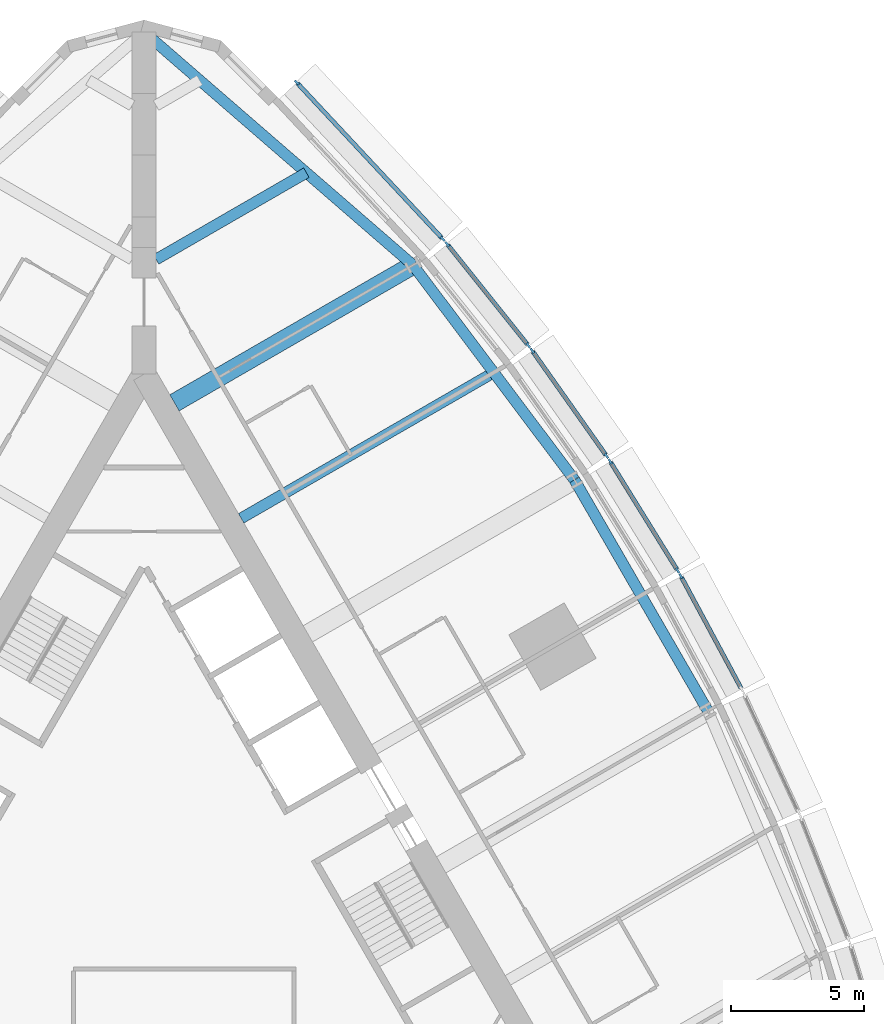
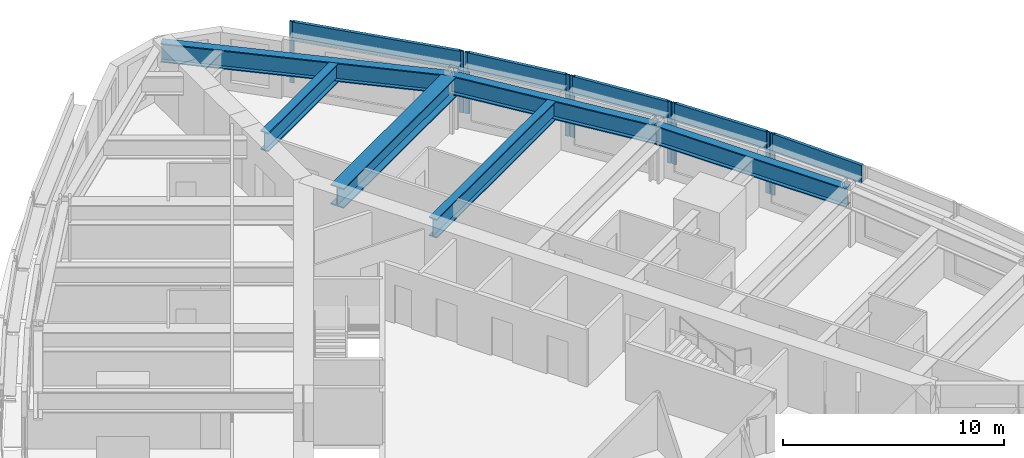
# One storey, part 5 of 14: 14 members, 6 beams, 5 elements without a shape of their own.
"""IFC4 building model written with IfcOpenShell, lengths in metres."""

from ifc_helpers import new_model, si_unit, direction, frame, origin, origin_2d, place, context, subcontext, project, spatial, rectangle, i_section, extrude, material, material_profile, profile_set, type_object, element, aggregate, save


model = new_model("IFC4")

# Units and contexts
model_context = context("Model", 3, precision=1e-05, world=origin(), true_north=direction((0.0, 1.0)))
body_context = subcontext(model_context, "Body", "Model", "MODEL_VIEW")
ifc_project = project(units=[si_unit("LENGTHUNIT", "METRE"), si_unit("AREAUNIT", "SQUARE_METRE"), si_unit("VOLUMEUNIT", "CUBIC_METRE"), si_unit("PLANEANGLEUNIT", "RADIAN"), si_unit("MASSUNIT", "GRAM", prefix="KILO")], contexts=[model_context])

# Site, building, storey
site_placement = place(None, origin())
site = spatial("IfcSite", under=ifc_project, at=site_placement, CompositionType="ELEMENT")
building_placement = place(site_placement, origin())
building = spatial("IfcBuilding", under=site, at=building_placement, Name="Trikona Tower", CompositionType="ELEMENT")
storey_placement = place(building_placement, frame((0.0, 0.0, 99.89990234375)))
storey = spatial("IfcBuildingStorey", under=building, at=storey_placement, Name="L26", CompositionType="ELEMENT", Elevation=99.89990234375)

# Curtain wall, member
ifc_material_1 = material(Name="Aluminium curtain wall system", Category="aluminium")
curtain_wall_type = type_object("IfcCurtainWallType", Name="Curtain wall DS1S", PredefinedType="NOTDEFINED", material=ifc_material_1)
curtain_wall_1_placement = place(storey_placement, origin())
curtain_wall_1 = element("IfcCurtainWall", 1, at=curtain_wall_1_placement, inside=storey, type_object=curtain_wall_type, Name="Curtain wall DS1S L26", PredefinedType="NOTDEFINED")
ifc_material_2 = material(Name="Aluminium mullion, pale anodised", Category="aluminium")
ifc_material_profile_1 = material_profile(ifc_material_2, rectangle(XDim=0.080078125, YDim=0.219970703125, at=origin_2d()), Name="MUL-DS1S")
ifc_profile_set_1 = profile_set([ifc_material_profile_1], Name="Aluminium mullion, pale anodised")
member_type_1 = type_object("IfcMemberType", Name="Mullion DS1S 80x220", PredefinedType="MULLION", material=ifc_profile_set_1)
member_1_placement = place(storey_placement, frame((20.128662109375, 11.474365234375, 0.0), z_axis=(0.0, 0.0, 1.0), x_axis=(-0.880843080975, -0.473408350896, 0.0)))
member_1 = element("IfcMember", 2, at=member_1_placement, type_object=member_type_1, Name="CW-DS1S mullion 2", PredefinedType="MULLION", context=body_context, shape_type="SweptSolid", body=[
    extrude(rectangle(XDim=0.080078125, YDim=0.219970703125, at=origin_2d()), origin(), (0.0, 0.0, 1.0), 3.400146484375),
])

# Curtain wall, members
curtain_wall_2_placement = place(storey_placement, origin())
curtain_wall_2 = element("IfcCurtainWall", 3, at=curtain_wall_2_placement, inside=storey, type_object=curtain_wall_type, Name="Curtain wall DS1S L26", PredefinedType="NOTDEFINED")
member_2_placement = place(storey_placement, frame((20.00146484375, 11.69482421875, 0.0), z_axis=(0.0, 0.0, 1.0), x_axis=(-0.850410468941, -0.526119790842, 0.0)))
member_2 = element("IfcMember", 4, at=member_2_placement, type_object=member_type_1, Name="CW-DS1S mullion 1", PredefinedType="MULLION", context=body_context, shape_type="SweptSolid", body=[
    extrude(rectangle(XDim=0.080078125, YDim=0.219970703125, at=origin_2d()), origin(), (0.0, 0.0, 1.0), 3.400146484375),
])
member_3_placement = place(storey_placement, frame((17.474853515625, 15.77880859375, 0.0), z_axis=(0.0, 0.0, 1.0), x_axis=(-0.850410468941, -0.526119790842, 0.0)))
member_3 = element("IfcMember", 5, at=member_3_placement, type_object=member_type_1, Name="CW-DS1S mullion 2", PredefinedType="MULLION", context=body_context, shape_type="SweptSolid", body=[
    extrude(rectangle(XDim=0.080078125, YDim=0.219970703125, at=origin_2d()), origin(), (0.0, 0.0, 1.0), 3.400146484375),
])

curtain_wall_3_placement = place(storey_placement, origin())
curtain_wall_3 = element("IfcCurtainWall", 6, at=curtain_wall_3_placement, inside=storey, type_object=curtain_wall_type, Name="Curtain wall DS1S L26", PredefinedType="NOTDEFINED")
member_4_placement = place(storey_placement, frame((17.33447265625, 15.990966796875, 0.0), z_axis=(0.0, 0.0, 1.0), x_axis=(-0.816985393055, -0.576658362928, 0.0)))
member_4 = element("IfcMember", 7, at=member_4_placement, type_object=member_type_1, Name="CW-DS1S mullion 1", PredefinedType="MULLION", context=body_context, shape_type="SweptSolid", body=[
    extrude(rectangle(XDim=0.080078125, YDim=0.219970703125, at=origin_2d()), origin(), (0.0, 0.0, 1.0), 3.400146484375),
])
member_5_placement = place(storey_placement, frame((14.554443359375, 19.929443359375, 0.0), z_axis=(0.0, 0.0, 1.0), x_axis=(-0.816985393055, -0.576658362928, 0.0)))
member_5 = element("IfcMember", 8, at=member_5_placement, type_object=member_type_1, Name="CW-DS1S mullion 2", PredefinedType="MULLION", context=body_context, shape_type="SweptSolid", body=[
    extrude(rectangle(XDim=0.080078125, YDim=0.219970703125, at=origin_2d()), origin(), (0.0, 0.0, 1.0), 3.400146484375),
])

curtain_wall_4_placement = place(storey_placement, origin())
curtain_wall_4 = element("IfcCurtainWall", 9, at=curtain_wall_4_placement, inside=storey, type_object=curtain_wall_type, Name="Curtain wall DS1S L26", PredefinedType="NOTDEFINED")
member_6_placement = place(storey_placement, frame((14.40185546875, 20.13232421875, 0.0), z_axis=(0.0, 0.0, 1.0), x_axis=(-0.780937959679, -0.624608599951, 0.0)))
member_6 = element("IfcMember", 10, at=member_6_placement, type_object=member_type_1, Name="CW-DS1S mullion 1", PredefinedType="MULLION", context=body_context, shape_type="SweptSolid", body=[
    extrude(rectangle(XDim=0.080078125, YDim=0.219970703125, at=origin_2d()), origin(), (0.0, 0.0, 1.0), 3.400146484375),
])
member_7_placement = place(storey_placement, frame((11.36767578125, 23.926025390625, 0.0), z_axis=(0.0, 0.0, 1.0), x_axis=(-0.780937959679, -0.624608599951, 0.0)))
member_7 = element("IfcMember", 11, at=member_7_placement, type_object=member_type_1, Name="CW-DS1S mullion 2", PredefinedType="MULLION", context=body_context, shape_type="SweptSolid", body=[
    extrude(rectangle(XDim=0.080078125, YDim=0.219970703125, at=origin_2d()), origin(), (0.0, 0.0, 1.0), 3.400146484375),
])

curtain_wall_5_placement = place(storey_placement, origin())
curtain_wall_5 = element("IfcCurtainWall", 12, at=curtain_wall_5_placement, inside=storey, type_object=curtain_wall_type, Name="Curtain wall DS1S L26", PredefinedType="NOTDEFINED")
member_8_placement = place(storey_placement, frame((11.192138671875, 24.129150390625, 0.0), z_axis=(0.0, 0.0, 1.0), x_axis=(-0.731076639405, -0.682295351967, 0.0)))
member_8 = element("IfcMember", 13, at=member_8_placement, type_object=member_type_1, Name="CW-DS1S mullion 1", PredefinedType="MULLION", context=body_context, shape_type="SweptSolid", body=[
    extrude(rectangle(XDim=0.080078125, YDim=0.219970703125, at=origin_2d()), origin(), (0.0, 0.0, 1.0), 3.400146484375),
])
member_9_placement = place(storey_placement, frame((5.72607421875, 29.98583984375, 0.0), z_axis=(0.0, 0.0, 1.0), x_axis=(-0.731076639405, -0.682295351967, 0.0)))
member_9 = element("IfcMember", 14, at=member_9_placement, type_object=member_type_1, Name="CW-DS1S mullion 2", PredefinedType="MULLION", context=body_context, shape_type="SweptSolid", body=[
    extrude(rectangle(XDim=0.080078125, YDim=0.219970703125, at=origin_2d()), origin(), (0.0, 0.0, 1.0), 3.400146484375),
])

# Beams
ifc_material_3 = material(Name="Steel ASTM A992 Grade 50", Category="steel")
ifc_material_profile_2 = material_profile(ifc_material_3, i_section(OverallWidth=0.699951171875, OverallDepth=1.10009765625, WebThickness=0.0400390625, FlangeThickness=0.06005859375, at=origin_2d()), Name="PG1100X700")
ifc_profile_set_2 = profile_set([ifc_material_profile_2], Name="Steel ASTM A992 Grade 50")
beam_type_1 = type_object("IfcBeamType", Name="Steel beam PG1100x700 (belt chord radial)", PredefinedType="BEAM", material=ifc_profile_set_2)
beam_1_placement = place(storey_placement, frame((1.1396484375, 17.978515625, 2.60009765625), z_axis=(0.866030471684, 0.499991222037, 0.0), x_axis=(-0.499991222037, 0.866030471684, 0.0)))
element("IfcBeam", 15, at=beam_1_placement, inside=storey, type_object=beam_type_1, Name="Floor beam L27 F2 u15", PredefinedType="BEAM", context=body_context, shape_type="SweptSolid", body=[
    extrude(i_section(OverallWidth=0.699951171875, OverallDepth=1.10009765625, WebThickness=0.0400390625, FlangeThickness=0.06005859375, at=origin_2d()), origin(), (0.0, 0.0, 1.0), 10.326904296875),
])
ifc_material_4 = material(Name="Steel ASTM A992 Grade 50", Category="steel")
ifc_material_profile_3 = material_profile(ifc_material_4, i_section(OverallWidth=0.408935546875, OverallDepth=1.04150390625, WebThickness=0.031005859375, FlangeThickness=0.055908203125, at=origin_2d()), Name="W40X397")
ifc_profile_set_3 = profile_set([ifc_material_profile_3], Name="Steel ASTM A992 Grade 50")
beam_type_2 = type_object("IfcBeamType", Name="Steel beam W40x397 (plant spandrel)", PredefinedType="SPANDREL", material=ifc_profile_set_3)
beam_2_placement = place(storey_placement, frame((21.13720703125, 6.43017578125, 2.62939453125), z_axis=(-0.500004234368, 0.866022959057, 0.0), x_axis=(-0.866022959057, -0.500004234368, 0.0)))
element("IfcBeam", 16, at=beam_2_placement, inside=storey, type_object=beam_type_2, Name="Spandrel beam L27 F2-3", PredefinedType="SPANDREL", context=body_context, shape_type="SweptSolid", body=[
    extrude(i_section(OverallWidth=0.408935546875, OverallDepth=1.04150390625, WebThickness=0.031005859375, FlangeThickness=0.055908203125, at=origin_2d()), origin(), (0.0, 0.0, 1.0), 10.0),
])
beam_3_placement = place(storey_placement, frame((16.13720703125, 15.09033203125, 2.62939453125), z_axis=(-0.600988344191, 0.799257787042, 0.0), x_axis=(-0.799257787042, -0.600988344191, 0.0)))
element("IfcBeam", 17, at=beam_3_placement, inside=storey, type_object=beam_type_2, Name="Spandrel beam L27 F2-4", PredefinedType="SPANDREL", context=body_context, shape_type="SweptSolid", body=[
    extrude(i_section(OverallWidth=0.408935546875, OverallDepth=1.04150390625, WebThickness=0.031005859375, FlangeThickness=0.055908203125, at=origin_2d()), origin(), (0.0, 0.0, 1.0), 10.07373046875),
])
beam_4_placement = place(storey_placement, frame((10.0830078125, 23.141845703125, 2.62939453125), z_axis=(-0.755646822726, 0.654979296851, 0.0), x_axis=(-0.654979296851, -0.755646822726, 0.0)))
element("IfcBeam", 18, at=beam_4_placement, inside=storey, type_object=beam_type_2, Name="Spandrel beam L27 F2-5", PredefinedType="SPANDREL", context=body_context, shape_type="SweptSolid", body=[
    extrude(i_section(OverallWidth=0.408935546875, OverallDepth=1.04150390625, WebThickness=0.031005859375, FlangeThickness=0.055908203125, at=origin_2d()), origin(), (0.0, 0.0, 1.0), 13.343505859375),
])
ifc_material_5 = material(Name="Steel ASTM A992 Grade 50", Category="steel")
ifc_material_profile_4 = material_profile(ifc_material_5, i_section(OverallWidth=0.408935546875, OverallDepth=1.04150390625, WebThickness=0.031005859375, FlangeThickness=0.055908203125, at=origin_2d()), Name="W40X397")
ifc_profile_set_4 = profile_set([ifc_material_profile_4], Name="Steel ASTM A992 Grade 50")
beam_type_3 = type_object("IfcBeamType", Name="Steel beam W40x397 (plant)", PredefinedType="BEAM", material=ifc_profile_set_4)
beam_5_placement = place(storey_placement, frame((3.6396484375, 13.6484375, 2.62939453125), z_axis=(0.866025348605, 0.500000095573, 0.0), x_axis=(-0.500000095573, 0.866025348605, 0.0)))
element("IfcBeam", 19, at=beam_5_placement, inside=storey, type_object=beam_type_3, Name="Floor beam L27 F2 u10", PredefinedType="BEAM", context=body_context, shape_type="SweptSolid", body=[
    extrude(i_section(OverallWidth=0.408935546875, OverallDepth=1.04150390625, WebThickness=0.031005859375, FlangeThickness=0.055908203125, at=origin_2d()), origin(), (0.0, 0.0, 1.0), 10.935546875),
])
ifc_material_6 = material(Name="Steel ASTM A992 Grade 50", Category="steel")
ifc_material_profile_5 = material_profile(ifc_material_6, i_section(OverallWidth=0.411376953125, OverallDepth=1.049072265625, WebThickness=0.033935546875, FlangeThickness=0.06005859375, at=origin_2d()), Name="W40X431")
ifc_profile_set_5 = profile_set([ifc_material_profile_5], Name="Steel ASTM A992 Grade 50")
beam_type_4 = type_object("IfcBeamType", Name="Steel beam W40x431 (plant wedge)", PredefinedType="BEAM", material=ifc_profile_set_5)
beam_6_placement = place(storey_placement, frame((0.449951171875, 23.353759765625, 2.62548828125), z_axis=(0.866022504693, 0.50000502134, 0.0), x_axis=(-0.50000502134, 0.866022504693, 0.0)))
element("IfcBeam", 20, at=beam_6_placement, inside=storey, type_object=beam_type_4, Name="Floor beam L27 F2 u20", PredefinedType="BEAM", context=body_context, shape_type="SweptSolid", body=[
    extrude(i_section(OverallWidth=0.411376953125, OverallDepth=1.049072265625, WebThickness=0.033935546875, FlangeThickness=0.06005859375, at=origin_2d()), origin(), (0.0, 0.0, 1.0), 6.5068359375),
])

# Member
ifc_material_7 = material(Name="Aluminium transom, pale anodised", Category="aluminium")
ifc_material_profile_6 = material_profile(ifc_material_7, rectangle(XDim=0.159912109375, YDim=1.0, at=origin_2d()), Name="TRN-DS1S")
ifc_profile_set_6 = profile_set([ifc_material_profile_6], Name="Aluminium transom, pale anodised")
member_type_2 = type_object("IfcMemberType", Name="Transom DS1S 1000x160", PredefinedType="USERDEFINED", material=ifc_profile_set_6)
member_10_placement = place(storey_placement, frame((22.38330078125, 7.279541015625, 2.900146484375), z_axis=(-0.473427569755, 0.880832751546, 0.0), x_axis=(-0.880832751546, -0.473427569755, 0.0)))
member_10 = element("IfcMember", 21, at=member_10_placement, type_object=member_type_2, Name="CW-DS1S transom 1.1", ObjectType="TRANSOM", PredefinedType="USERDEFINED", context=body_context, shape_type="SweptSolid", body=[
    extrude(rectangle(XDim=0.159912109375, YDim=1.0, at=origin_2d()), origin(), (0.0, 0.0, 1.0), 4.72216796875),
])

aggregate(curtain_wall_1, [member_1, member_10])

member_11_placement = place(storey_placement, frame((19.980224609375, 11.728759765625, 2.900146484375), z_axis=(-0.526080502257, 0.850434774186, 0.0), x_axis=(-0.850434774186, -0.526080502257, 0.0)))
member_11 = element("IfcMember", 22, at=member_11_placement, type_object=member_type_2, Name="CW-DS1S transom 1.1", ObjectType="TRANSOM", PredefinedType="USERDEFINED", context=body_context, shape_type="SweptSolid", body=[
    extrude(rectangle(XDim=0.159912109375, YDim=1.0, at=origin_2d()), origin(), (0.0, 0.0, 1.0), 4.722412109375),
])

aggregate(curtain_wall_2, [member_2, member_3, member_11])

member_12_placement = place(storey_placement, frame((17.311279296875, 16.023681640625, 2.900146484375), z_axis=(-0.57664478015, 0.816994980111, 0.0), x_axis=(-0.816994980111, -0.57664478015, 0.0)))
member_12 = element("IfcMember", 23, at=member_12_placement, type_object=member_type_2, Name="CW-DS1S transom 1.1", ObjectType="TRANSOM", PredefinedType="USERDEFINED", context=body_context, shape_type="SweptSolid", body=[
    extrude(rectangle(XDim=0.159912109375, YDim=1.0, at=origin_2d()), origin(), (0.0, 0.0, 1.0), 4.740478515625),
])

aggregate(curtain_wall_3, [member_4, member_5, member_12])

member_13_placement = place(storey_placement, frame((14.376953125, 20.16357421875, 2.900146484375), z_axis=(-0.624589103832, 0.780953552636, 0.0), x_axis=(-0.780953552636, -0.624589103832, 0.0)))
member_13 = element("IfcMember", 24, at=member_13_placement, type_object=member_type_2, Name="CW-DS1S transom 1.1", ObjectType="TRANSOM", PredefinedType="USERDEFINED", context=body_context, shape_type="SweptSolid", body=[
    extrude(rectangle(XDim=0.159912109375, YDim=1.0, at=origin_2d()), origin(), (0.0, 0.0, 1.0), 4.77783203125),
])

aggregate(curtain_wall_4, [member_6, member_7, member_13])

member_14_placement = place(storey_placement, frame((11.164794921875, 24.158203125, 2.900146484375), z_axis=(-0.682290830921, 0.731080858758, 0.0), x_axis=(-0.731080858758, -0.682290830921, 0.0)))
member_14 = element("IfcMember", 25, at=member_14_placement, type_object=member_type_2, Name="CW-DS1S transom 1.1", ObjectType="TRANSOM", PredefinedType="USERDEFINED", context=body_context, shape_type="SweptSolid", body=[
    extrude(rectangle(XDim=0.159912109375, YDim=1.0, at=origin_2d()), origin(), (0.0, 0.0, 1.0), 7.93115234375),
])

aggregate(curtain_wall_5, [member_8, member_9, member_14])

save(model, "model.ifc")
